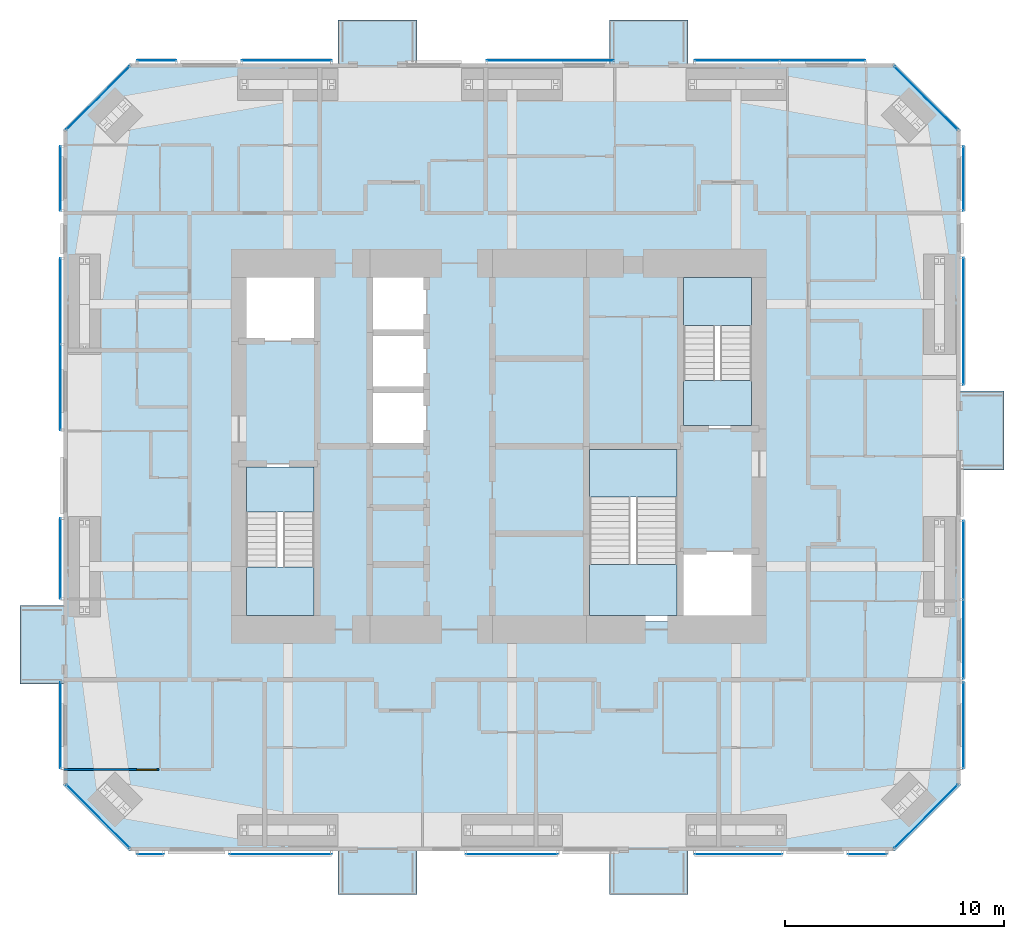
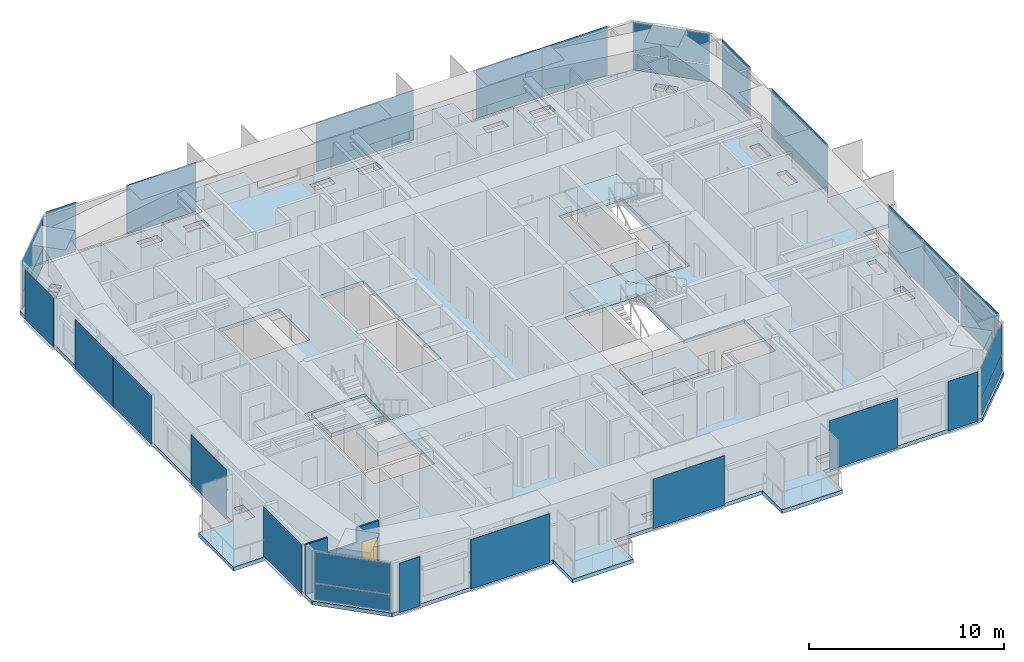
# One storey, part 14 of 23: 28 plates, 7 slabs, 1 door, 1 wall, 1 opening, 24 elements without a shape of their own.
"""IFC4 building model written with IfcOpenShell, lengths in metres."""

from ifc_helpers import new_model, si_unit, direction, frame, frame_2d, origin, origin_2d, place, context, subcontext, project, spatial, polyline, rectangle, outline, extrude, material, layer, layer_set, constituent, constituent_set, type_object, element, fill, aggregate, save


model = new_model("IFC4")

# Units and contexts
model_context = context("Model", 3, precision=1e-05, world=origin(), true_north=direction((0.0, 1.0)))
body_context = subcontext(model_context, "Body", "Model", "MODEL_VIEW")
ifc_project = project(units=[si_unit("LENGTHUNIT", "METRE"), si_unit("AREAUNIT", "SQUARE_METRE"), si_unit("VOLUMEUNIT", "CUBIC_METRE"), si_unit("PLANEANGLEUNIT", "RADIAN"), si_unit("MASSUNIT", "GRAM", prefix="KILO")], contexts=[model_context])

# Site, building, storey
site_placement = place(None, origin())
site = spatial("IfcSite", under=ifc_project, at=site_placement, CompositionType="ELEMENT")
building_placement = place(site_placement, origin())
building = spatial("IfcBuilding", under=site, at=building_placement, Name="Jalousie Tower", CompositionType="ELEMENT")
storey_placement = place(building_placement, frame((0.0, 0.0, 164.39990234375)))
storey = spatial("IfcBuildingStorey", under=building, at=storey_placement, Name="L44", CompositionType="ELEMENT", Elevation=164.39990234375)

# Curtain wall, plates
ifc_material_1 = material(Name="Aluminium curtain wall", Category="aluminium")
curtain_wall_type_1 = type_object("IfcCurtainWallType", Name="CORNER WINDOW WALL", PredefinedType="USERDEFINED", material=ifc_material_1)
curtain_wall_1_placement = place(storey_placement, origin())
curtain_wall_1 = element("IfcCurtainWall", 1, at=curtain_wall_1_placement, inside=storey, type_object=curtain_wall_type_1, Name="Corner Window Wall L44 2", ObjectType="CORNER WINDOW WALL", PredefinedType="USERDEFINED")
ifc_material_2 = material(Name="Laminated impact-rated spandrel glass", Category="glass")
ifc_layer_1 = layer(ifc_material_2, 0.028076171875)
ifc_layer_set_1 = layer_set([ifc_layer_1], Name="Laminated impact-rated spandrel glass")
plate_type_1 = type_object("IfcPlateType", Name="CORNER WINDOW WALL PANEL", PredefinedType="CURTAIN_PANEL", material=ifc_layer_set_1)
plate_1_placement = place(storey_placement, frame((51.4306640625, 1.5693359375, 0.06005859375), z_axis=(0.0, 0.0, 1.0), x_axis=(0.707106781187, 0.707106781187, 0.0)))
plate_1 = element("IfcPlate", 2, at=plate_1_placement, type_object=plate_type_1, Name="CW-C panel 1.1", PredefinedType="CURTAIN_PANEL", context=body_context, shape_type="SweptSolid", body=[
    extrude(rectangle(XDim=4.071533203125, YDim=0.028076171875, at=origin_2d()), origin(), (0.0, 0.0, 1.0), 1.010009765625),
])
plate_2_placement = place(storey_placement, frame((51.4306640625, 1.5693359375, 1.130126953125), z_axis=(0.0, 0.0, 1.0), x_axis=(0.707106781187, 0.707106781187, 0.0)))
plate_2 = element("IfcPlate", 3, at=plate_2_placement, type_object=plate_type_1, Name="CW-C panel 1.2", PredefinedType="CURTAIN_PANEL", context=body_context, shape_type="SweptSolid", body=[
    extrude(rectangle(XDim=4.071533203125, YDim=0.028076171875, at=origin_2d()), origin(), (0.0, 0.0, 1.0), 1.919921875),
])
aggregate(curtain_wall_1, [plate_1, plate_2])

curtain_wall_2_placement = place(storey_placement, origin())
curtain_wall_2 = element("IfcCurtainWall", 4, at=curtain_wall_2_placement, inside=storey, type_object=curtain_wall_type_1, Name="Corner Window Wall L44 4", ObjectType="CORNER WINDOW WALL", PredefinedType="USERDEFINED")
plate_3_placement = place(storey_placement, frame((51.4306640625, 34.4306640625, 0.06005859375), z_axis=(0.0, 0.0, 1.0), x_axis=(-0.707106781187, 0.707106781187, 0.0)))
plate_3 = element("IfcPlate", 5, at=plate_3_placement, type_object=plate_type_1, Name="CW-C panel 1.1", PredefinedType="CURTAIN_PANEL", context=body_context, shape_type="SweptSolid", body=[
    extrude(rectangle(XDim=4.071533203125, YDim=0.028076171875, at=origin_2d()), origin(), (0.0, 0.0, 1.0), 1.010009765625),
])
plate_4_placement = place(storey_placement, frame((51.4306640625, 34.4306640625, 1.130126953125), z_axis=(0.0, 0.0, 1.0), x_axis=(-0.707106781187, 0.707106781187, 0.0)))
plate_4 = element("IfcPlate", 6, at=plate_4_placement, type_object=plate_type_1, Name="CW-C panel 1.2", PredefinedType="CURTAIN_PANEL", context=body_context, shape_type="SweptSolid", body=[
    extrude(rectangle(XDim=4.071533203125, YDim=0.028076171875, at=origin_2d()), origin(), (0.0, 0.0, 1.0), 1.919921875),
])
aggregate(curtain_wall_2, [plate_3, plate_4])

curtain_wall_3_placement = place(storey_placement, origin())
curtain_wall_3 = element("IfcCurtainWall", 7, at=curtain_wall_3_placement, inside=storey, type_object=curtain_wall_type_1, Name="Corner Window Wall L44 6", ObjectType="CORNER WINDOW WALL", PredefinedType="USERDEFINED")
plate_5_placement = place(storey_placement, frame((13.5693359375, 34.4306640625, 0.06005859375), z_axis=(0.0, 0.0, 1.0), x_axis=(-0.707106781187, -0.707106781187, 0.0)))
plate_5 = element("IfcPlate", 8, at=plate_5_placement, type_object=plate_type_1, Name="CW-C panel 1.1", PredefinedType="CURTAIN_PANEL", context=body_context, shape_type="SweptSolid", body=[
    extrude(rectangle(XDim=4.071533203125, YDim=0.028076171875, at=origin_2d()), origin(), (0.0, 0.0, 1.0), 1.010009765625),
])
plate_6_placement = place(storey_placement, frame((13.5693359375, 34.4306640625, 1.130126953125), z_axis=(0.0, 0.0, 1.0), x_axis=(-0.707106781187, -0.707106781187, 0.0)))
plate_6 = element("IfcPlate", 9, at=plate_6_placement, type_object=plate_type_1, Name="CW-C panel 1.2", PredefinedType="CURTAIN_PANEL", context=body_context, shape_type="SweptSolid", body=[
    extrude(rectangle(XDim=4.071533203125, YDim=0.028076171875, at=origin_2d()), origin(), (0.0, 0.0, 1.0), 1.919921875),
])
aggregate(curtain_wall_3, [plate_5, plate_6])

curtain_wall_4_placement = place(storey_placement, origin())
curtain_wall_4 = element("IfcCurtainWall", 10, at=curtain_wall_4_placement, inside=storey, type_object=curtain_wall_type_1, Name="Corner Window Wall L44 8", ObjectType="CORNER WINDOW WALL", PredefinedType="USERDEFINED")
plate_7_placement = place(storey_placement, frame((13.5693359375, 1.5693359375, 0.06005859375), z_axis=(0.0, 0.0, 1.0), x_axis=(0.707106781187, -0.707106781187, 0.0)))
plate_7 = element("IfcPlate", 11, at=plate_7_placement, type_object=plate_type_1, Name="CW-C panel 1.1", PredefinedType="CURTAIN_PANEL", context=body_context, shape_type="SweptSolid", body=[
    extrude(rectangle(XDim=4.071533203125, YDim=0.028076171875, at=origin_2d()), origin(), (0.0, 0.0, 1.0), 1.010009765625),
])
plate_8_placement = place(storey_placement, frame((13.5693359375, 1.5693359375, 1.130126953125), z_axis=(0.0, 0.0, 1.0), x_axis=(0.707106781187, -0.707106781187, 0.0)))
plate_8 = element("IfcPlate", 12, at=plate_8_placement, type_object=plate_type_1, Name="CW-C panel 1.2", PredefinedType="CURTAIN_PANEL", context=body_context, shape_type="SweptSolid", body=[
    extrude(rectangle(XDim=4.071533203125, YDim=0.028076171875, at=origin_2d()), origin(), (0.0, 0.0, 1.0), 1.919921875),
])
aggregate(curtain_wall_4, [plate_7, plate_8])

# Slab
ifc_material_3 = material(Name="Concrete f'c 40 MPa", Category="concrete")
ifc_layer_2 = layer(ifc_material_3, 0.239990234375)
ifc_layer_set_2 = layer_set([ifc_layer_2], Name="Concrete f'c 40 MPa")
slab_type_1 = type_object("IfcSlabType", Name="FLOOR SLAB 240", PredefinedType="FLOOR", material=ifc_layer_set_2)
slab_1_placement = place(storey_placement, frame((0.0, 0.0, -0.239990234375)))
element("IfcSlab", 13, at=slab_1_placement, inside=storey, type_object=slab_type_1, Name="L44 floor slab", PredefinedType="FLOOR", context=body_context, shape_type="SweptSolid", body=[
    extrude(outline(polyline([(40.550048828125, 38.0), (40.550048828125, 36.0), (50.0, 36.0), (53.0, 33.0), (53.0, 21.02490234375), (55.0, 21.02490234375), (55.0, 17.425048828125), (53.0, 17.425048828125), (53.0, 3.0), (50.0, 0.0), (40.550048828125, 0.0), (40.550048828125, -2.0), (36.949951171875, -2.0), (36.949951171875, 0.0), (28.14990234375, 0.0), (28.14990234375, -2.0), (24.550048828125, -2.0), (24.550048828125, 0.0), (15.0, 0.0), (12.0, 3.0), (12.0, 7.625), (10.0, 7.625), (10.0, 11.22509765625), (12.0, 11.22509765625), (12.0, 33.0), (15.0, 36.0), (24.550048828125, 36.0), (24.550048828125, 38.0), (28.14990234375, 38.0), (28.14990234375, 36.0), (36.949951171875, 36.0), (36.949951171875, 38.0), (40.550048828125, 38.0)]), holes=[polyline([(51.763916015625, 27.0), (51.763916015625, 25.77294921875), (52.336181640625, 25.77294921875), (52.336181640625, 27.0), (51.763916015625, 27.0)]), polyline([(52.336181640625, 24.22705078125), (51.763916015625, 24.22705078125), (51.763916015625, 23.0), (52.336181640625, 23.0), (52.336181640625, 24.22705078125)]), polyline([(52.336181640625, 15.0), (51.763916015625, 15.0), (51.763916015625, 13.77294921875), (52.336181640625, 13.77294921875), (52.336181640625, 15.0)]), polyline([(52.336181640625, 12.22705078125), (51.763916015625, 12.22705078125), (51.763916015625, 11.0), (52.336181640625, 11.0), (52.336181640625, 12.22705078125)]), polyline([(50.873291015625, 33.02490234375), (51.278076171875, 33.4296875), (50.89599609375, 33.811767578125), (50.4912109375, 33.406982421875), (50.873291015625, 33.02490234375)]), polyline([(50.89599609375, 2.188232421875), (51.278076171875, 2.5703125), (50.873291015625, 2.97509765625), (50.4912109375, 2.593017578125), (50.89599609375, 2.188232421875)]), polyline([(50.02490234375, 2.126708984375), (50.4296875, 1.721923828125), (50.811767578125, 2.10400390625), (50.406982421875, 2.5087890625), (50.02490234375, 2.126708984375)]), polyline([(50.02490234375, 33.873291015625), (50.406982421875, 33.4912109375), (50.811767578125, 33.89599609375), (50.4296875, 34.278076171875), (50.02490234375, 33.873291015625)]), polyline([(43.52294921875, 34.763916015625), (44.75, 34.763916015625), (44.75, 35.336181640625), (43.52294921875, 35.336181640625), (43.52294921875, 34.763916015625)]), polyline([(43.52294921875, 0.663818359375), (44.75, 0.663818359375), (44.75, 1.236083984375), (43.52294921875, 1.236083984375), (43.52294921875, 0.663818359375)]), polyline([(43.800048828125, 26.5), (40.199951171875, 26.5), (40.199951171875, 19.300048828125), (43.800048828125, 19.300048828125), (43.800048828125, 26.5)]), polyline([(35.89990234375, 18.5), (35.89990234375, 10.5), (43.800048828125, 10.5), (43.800048828125, 13.699951171875), (40.199951171875, 13.699951171875), (40.199951171875, 18.5), (35.89990234375, 18.5)]), polyline([(40.75, 34.763916015625), (41.97705078125, 34.763916015625), (41.97705078125, 35.336181640625), (40.75, 35.336181640625), (40.75, 34.763916015625)]), polyline([(40.75, 0.663818359375), (41.97705078125, 0.663818359375), (41.97705078125, 1.236083984375), (40.75, 1.236083984375), (40.75, 0.663818359375)]), polyline([(34.5, 0.663818359375), (34.5, 1.236083984375), (33.27294921875, 1.236083984375), (33.27294921875, 0.663818359375), (34.5, 0.663818359375)]), polyline([(34.5, 34.763916015625), (34.5, 35.336181640625), (33.27294921875, 35.336181640625), (33.27294921875, 34.763916015625), (34.5, 34.763916015625)]), polyline([(30.5, 35.336181640625), (30.5, 34.763916015625), (31.72705078125, 34.763916015625), (31.72705078125, 35.336181640625), (30.5, 35.336181640625)]), polyline([(30.5, 1.236083984375), (30.5, 0.663818359375), (31.72705078125, 0.663818359375), (31.72705078125, 1.236083984375), (30.5, 1.236083984375)]), polyline([(28.60009765625, 26.5), (26.0, 26.5), (26.0, 18.5), (28.60009765625, 18.5), (28.60009765625, 26.5)]), polyline([(24.25, 35.336181640625), (23.02294921875, 35.336181640625), (23.02294921875, 34.763916015625), (24.25, 34.763916015625), (24.25, 35.336181640625)]), polyline([(24.25, 0.663818359375), (24.25, 1.236083984375), (23.02294921875, 1.236083984375), (23.02294921875, 0.663818359375), (24.25, 0.663818359375)]), polyline([(23.60009765625, 26.5), (20.0, 26.5), (20.0, 23.300048828125), (23.60009765625, 23.300048828125), (23.60009765625, 26.5)]), polyline([(23.60009765625, 17.699951171875), (20.0, 17.699951171875), (20.0, 10.5), (23.60009765625, 10.5), (23.60009765625, 17.699951171875)]), polyline([(21.47705078125, 34.763916015625), (21.47705078125, 35.336181640625), (20.25, 35.336181640625), (20.25, 34.763916015625), (21.47705078125, 34.763916015625)]), polyline([(21.47705078125, 0.663818359375), (21.47705078125, 1.236083984375), (20.25, 1.236083984375), (20.25, 0.663818359375), (21.47705078125, 0.663818359375)]), polyline([(14.5703125, 34.278076171875), (14.188232421875, 33.89599609375), (14.593017578125, 33.4912109375), (14.97509765625, 33.873291015625), (14.5703125, 34.278076171875)]), polyline([(14.188232421875, 2.10400390625), (14.5703125, 1.721923828125), (14.97509765625, 2.126708984375), (14.593017578125, 2.5087890625), (14.188232421875, 2.10400390625)]), polyline([(14.126708984375, 33.02490234375), (14.5087890625, 33.406982421875), (14.10400390625, 33.811767578125), (13.721923828125, 33.4296875), (14.126708984375, 33.02490234375)]), polyline([(14.10400390625, 2.188232421875), (14.5087890625, 2.593017578125), (14.126708984375, 2.97509765625), (13.721923828125, 2.5703125), (14.10400390625, 2.188232421875)]), polyline([(12.663818359375, 23.0), (13.236083984375, 23.0), (13.236083984375, 24.22705078125), (12.663818359375, 24.22705078125), (12.663818359375, 23.0)]), polyline([(13.236083984375, 27.0), (12.663818359375, 27.0), (12.663818359375, 25.77294921875), (13.236083984375, 25.77294921875), (13.236083984375, 27.0)]), polyline([(12.663818359375, 15.0), (12.663818359375, 13.77294921875), (13.236083984375, 13.77294921875), (13.236083984375, 15.0), (12.663818359375, 15.0)]), polyline([(13.236083984375, 12.22705078125), (12.663818359375, 12.22705078125), (12.663818359375, 11.0), (13.236083984375, 11.0), (13.236083984375, 12.22705078125)])]), origin(), (0.0, 0.0, 1.0), 0.239990234375),
])

# Curtain wall, plate
ifc_material_4 = material(Name="Perforated aluminium sheet", Category="aluminium")
curtain_wall_type_2 = type_object("IfcCurtainWallType", Name="SOLAR SCREEN SS-1", PredefinedType="USERDEFINED", material=ifc_material_4)
curtain_wall_5_placement = place(storey_placement, origin())
curtain_wall_5 = element("IfcCurtainWall", 14, at=curtain_wall_5_placement, inside=storey, type_object=curtain_wall_type_2, Name="Solar screen L44", ObjectType="SOLAR SCREEN SS-1", PredefinedType="USERDEFINED")
ifc_material_5 = material(Name="Perforated aluminium sheet", Category="aluminium")
ifc_layer_3 = layer(ifc_material_5, 0.006103515625)
ifc_layer_set_3 = layer_set([ifc_layer_3], Name="Perforated aluminium sheet")
plate_type_2 = type_object("IfcPlateType", Name="SOLAR SCREEN SS-1 PANEL", PredefinedType="CURTAIN_PANEL", material=ifc_layer_set_3)
plate_9_placement = place(storey_placement, frame((15.96337890625, -0.150390625, 0.0), z_axis=(0.0, 0.0, 1.0), x_axis=(1.0, 0.0, 0.0)))
plate_9 = element("IfcPlate", 15, at=plate_9_placement, type_object=plate_type_2, Name="SS1 perforated panel 1", PredefinedType="CURTAIN_PANEL", context=body_context, shape_type="SweptSolid", body=[
    extrude(rectangle(XDim=1.224365234375, YDim=0.006103515625, at=origin_2d()), origin(), (0.0, 0.0, 1.0), 3.110107421875),
])
aggregate(curtain_wall_5, [plate_9])

curtain_wall_6_placement = place(storey_placement, origin())
curtain_wall_6 = element("IfcCurtainWall", 16, at=curtain_wall_6_placement, inside=storey, type_object=curtain_wall_type_2, Name="Solar screen L44", ObjectType="SOLAR SCREEN SS-1", PredefinedType="USERDEFINED")
plate_10_placement = place(storey_placement, frame((21.912841796875, -0.150390625, 0.0), z_axis=(0.0, 0.0, 1.0), x_axis=(1.0, 0.0, 0.0)))
plate_10 = element("IfcPlate", 17, at=plate_10_placement, type_object=plate_type_2, Name="SS1 perforated panel 1", PredefinedType="CURTAIN_PANEL", context=body_context, shape_type="SweptSolid", body=[
    extrude(rectangle(XDim=4.67431640625, YDim=0.006103515625, at=origin_2d()), origin(), (0.0, 0.0, 1.0), 3.110107421875),
])
aggregate(curtain_wall_6, [plate_10])

curtain_wall_7_placement = place(storey_placement, origin())
curtain_wall_7 = element("IfcCurtainWall", 18, at=curtain_wall_7_placement, inside=storey, type_object=curtain_wall_type_2, Name="Solar screen L44", ObjectType="SOLAR SCREEN SS-1", PredefinedType="USERDEFINED")
plate_11_placement = place(storey_placement, frame((32.489501953125, -0.150390625, 0.0), z_axis=(0.0, 0.0, 1.0), x_axis=(1.0, 0.0, 0.0)))
plate_11 = element("IfcPlate", 19, at=plate_11_placement, type_object=plate_type_2, Name="SS1 perforated panel 1", PredefinedType="CURTAIN_PANEL", context=body_context, shape_type="SweptSolid", body=[
    extrude(rectangle(XDim=4.22119140625, YDim=0.006103515625, at=origin_2d()), origin(), (0.0, 0.0, 1.0), 3.110107421875),
])
aggregate(curtain_wall_7, [plate_11])

curtain_wall_8_placement = place(storey_placement, origin())
curtain_wall_8 = element("IfcCurtainWall", 20, at=curtain_wall_8_placement, inside=storey, type_object=curtain_wall_type_2, Name="Solar screen L44", ObjectType="SOLAR SCREEN SS-1", PredefinedType="USERDEFINED")
plate_12_placement = place(storey_placement, frame((42.8544921875, -0.150390625, 0.0), z_axis=(0.0, 0.0, 1.0), x_axis=(1.0, 0.0, 0.0)))
plate_12 = element("IfcPlate", 21, at=plate_12_placement, type_object=plate_type_2, Name="SS1 perforated panel 1", PredefinedType="CURTAIN_PANEL", context=body_context, shape_type="SweptSolid", body=[
    extrude(rectangle(XDim=4.00927734375, YDim=0.006103515625, at=origin_2d()), origin(), (0.0, 0.0, 1.0), 3.110107421875),
])
aggregate(curtain_wall_8, [plate_12])

curtain_wall_9_placement = place(storey_placement, origin())
curtain_wall_9 = element("IfcCurtainWall", 22, at=curtain_wall_9_placement, inside=storey, type_object=curtain_wall_type_2, Name="Solar screen L44", ObjectType="SOLAR SCREEN SS-1", PredefinedType="USERDEFINED")
plate_13_placement = place(storey_placement, frame((48.75390625, -0.150390625, 0.0), z_axis=(0.0, 0.0, 1.0), x_axis=(1.0, 0.0, 0.0)))
plate_13 = element("IfcPlate", 23, at=plate_13_placement, type_object=plate_type_2, Name="SS1 perforated panel 1", PredefinedType="CURTAIN_PANEL", context=body_context, shape_type="SweptSolid", body=[
    extrude(rectangle(XDim=1.789306640625, YDim=0.006103515625, at=origin_2d()), origin(), (0.0, 0.0, 1.0), 3.110107421875),
])
aggregate(curtain_wall_9, [plate_13])

curtain_wall_10_placement = place(storey_placement, origin())
curtain_wall_10 = element("IfcCurtainWall", 24, at=curtain_wall_10_placement, inside=storey, type_object=curtain_wall_type_2, Name="Solar screen L44", ObjectType="SOLAR SCREEN SS-1", PredefinedType="USERDEFINED")
plate_14_placement = place(storey_placement, frame((53.150390625, 5.748046875, 0.0), z_axis=(0.0, 0.0, 1.0), x_axis=(0.0, 1.0, 0.0)))
plate_14 = element("IfcPlate", 25, at=plate_14_placement, type_object=plate_type_2, Name="SS1 perforated panel 1", PredefinedType="CURTAIN_PANEL", context=body_context, shape_type="SweptSolid", body=[
    extrude(rectangle(XDim=3.95361328125, YDim=0.006103515625, at=origin_2d()), origin(), (0.0, 0.0, 1.0), 3.110107421875),
])
aggregate(curtain_wall_10, [plate_14])

# Curtain wall, plates
curtain_wall_11_placement = place(storey_placement, origin())
curtain_wall_11 = element("IfcCurtainWall", 26, at=curtain_wall_11_placement, inside=storey, type_object=curtain_wall_type_2, Name="Solar screen L44", ObjectType="SOLAR SCREEN SS-1", PredefinedType="USERDEFINED")
plate_15_placement = place(storey_placement, frame((53.150390625, 9.681396484375, 0.0), z_axis=(0.0, 0.0, 1.0), x_axis=(0.0, 1.0, 0.0)))
plate_15 = element("IfcPlate", 27, at=plate_15_placement, type_object=plate_type_2, Name="SS1 perforated panel 1", PredefinedType="CURTAIN_PANEL", context=body_context, shape_type="SweptSolid", body=[
    extrude(rectangle(XDim=3.612548828125, YDim=0.006103515625, at=origin_2d()), origin(), (0.0, 0.0, 1.0), 3.110107421875),
])
plate_16_placement = place(storey_placement, frame((53.150390625, 13.293701171875, 0.0), z_axis=(0.0, 0.0, 1.0), x_axis=(0.0, 1.0, 0.0)))
plate_16 = element("IfcPlate", 28, at=plate_16_placement, type_object=plate_type_2, Name="SS1 perforated panel 2", PredefinedType="CURTAIN_PANEL", context=body_context, shape_type="SweptSolid", body=[
    extrude(rectangle(XDim=3.612548828125, YDim=0.006103515625, at=origin_2d()), origin(), (0.0, 0.0, 1.0), 3.110107421875),
])
aggregate(curtain_wall_11, [plate_15, plate_16])

# Curtain wall, plate
curtain_wall_12_placement = place(storey_placement, origin())
curtain_wall_12 = element("IfcCurtainWall", 29, at=curtain_wall_12_placement, inside=storey, type_object=curtain_wall_type_2, Name="Solar screen L44", ObjectType="SOLAR SCREEN SS-1", PredefinedType="USERDEFINED")
plate_17_placement = place(storey_placement, frame((53.150390625, 24.224853515625, 0.0), z_axis=(0.0, 0.0, 1.0), x_axis=(0.0, 1.0, 0.0)))
plate_17 = element("IfcPlate", 30, at=plate_17_placement, type_object=plate_type_2, Name="SS1 perforated panel 1", PredefinedType="CURTAIN_PANEL", context=body_context, shape_type="SweptSolid", body=[
    extrude(rectangle(XDim=5.799560546875, YDim=0.006103515625, at=origin_2d()), origin(), (0.0, 0.0, 1.0), 3.110107421875),
])
aggregate(curtain_wall_12, [plate_17])

curtain_wall_13_placement = place(storey_placement, origin())
curtain_wall_13 = element("IfcCurtainWall", 31, at=curtain_wall_13_placement, inside=storey, type_object=curtain_wall_type_2, Name="Solar screen L44", ObjectType="SOLAR SCREEN SS-1", PredefinedType="USERDEFINED")
plate_18_placement = place(storey_placement, frame((53.150390625, 30.751953125, 0.0), z_axis=(0.0, 0.0, 1.0), x_axis=(0.0, 1.0, 0.0)))
plate_18 = element("IfcPlate", 32, at=plate_18_placement, type_object=plate_type_2, Name="SS1 perforated panel 1", PredefinedType="CURTAIN_PANEL", context=body_context, shape_type="SweptSolid", body=[
    extrude(rectangle(XDim=2.95361328125, YDim=0.006103515625, at=origin_2d()), origin(), (0.0, 0.0, 1.0), 3.110107421875),
])
aggregate(curtain_wall_13, [plate_18])

# Curtain wall, plates
curtain_wall_14_placement = place(storey_placement, origin())
curtain_wall_14 = element("IfcCurtainWall", 33, at=curtain_wall_14_placement, inside=storey, type_object=curtain_wall_type_2, Name="Solar screen L44", ObjectType="SOLAR SCREEN SS-1", PredefinedType="USERDEFINED")
plate_19_placement = place(storey_placement, frame((46.699951171875, 36.150390625, 0.0), z_axis=(0.0, 0.0, 1.0), x_axis=(-1.0, 0.0, 0.0)))
plate_19 = element("IfcPlate", 34, at=plate_19_placement, type_object=plate_type_2, Name="SS1 perforated panel 1", PredefinedType="CURTAIN_PANEL", context=body_context, shape_type="SweptSolid", body=[
    extrude(rectangle(XDim=3.89990234375, YDim=0.006103515625, at=origin_2d()), origin(), (0.0, 0.0, 1.0), 3.110107421875),
])
plate_20_placement = place(storey_placement, frame((42.800048828125, 36.150390625, 0.0), z_axis=(0.0, 0.0, 1.0), x_axis=(-1.0, 0.0, 0.0)))
plate_20 = element("IfcPlate", 35, at=plate_20_placement, type_object=plate_type_2, Name="SS1 perforated panel 2", PredefinedType="CURTAIN_PANEL", context=body_context, shape_type="SweptSolid", body=[
    extrude(rectangle(XDim=3.89990234375, YDim=0.006103515625, at=origin_2d()), origin(), (0.0, 0.0, 1.0), 3.110107421875),
])
aggregate(curtain_wall_14, [plate_19, plate_20])

# Curtain wall, plate
curtain_wall_15_placement = place(storey_placement, origin())
curtain_wall_15 = element("IfcCurtainWall", 36, at=curtain_wall_15_placement, inside=storey, type_object=curtain_wall_type_2, Name="Solar screen L44", ObjectType="SOLAR SCREEN SS-1", PredefinedType="USERDEFINED")
plate_21_placement = place(storey_placement, frame((34.25, 36.150390625, 0.0), z_axis=(0.0, 0.0, 1.0), x_axis=(-1.0, 0.0, 0.0)))
plate_21 = element("IfcPlate", 37, at=plate_21_placement, type_object=plate_type_2, Name="SS1 perforated panel 1", PredefinedType="CURTAIN_PANEL", context=body_context, shape_type="SweptSolid", body=[
    extrude(rectangle(XDim=5.800048828125, YDim=0.006103515625, at=origin_2d()), origin(), (0.0, 0.0, 1.0), 3.110107421875),
])
aggregate(curtain_wall_15, [plate_21])

curtain_wall_16_placement = place(storey_placement, origin())
curtain_wall_16 = element("IfcCurtainWall", 38, at=curtain_wall_16_placement, inside=storey, type_object=curtain_wall_type_2, Name="Solar screen L44", ObjectType="SOLAR SCREEN SS-1", PredefinedType="USERDEFINED")
plate_22_placement = place(storey_placement, frame((22.197265625, 36.150390625, 0.0), z_axis=(0.0, 0.0, 1.0), x_axis=(-1.0, 0.0, 0.0)))
plate_22 = element("IfcPlate", 39, at=plate_22_placement, type_object=plate_type_2, Name="SS1 perforated panel 1", PredefinedType="CURTAIN_PANEL", context=body_context, shape_type="SweptSolid", body=[
    extrude(rectangle(XDim=4.10546875, YDim=0.006103515625, at=origin_2d()), origin(), (0.0, 0.0, 1.0), 3.110107421875),
])
aggregate(curtain_wall_16, [plate_22])

curtain_wall_17_placement = place(storey_placement, origin())
curtain_wall_17 = element("IfcCurtainWall", 40, at=curtain_wall_17_placement, inside=storey, type_object=curtain_wall_type_2, Name="Solar screen L44", ObjectType="SOLAR SCREEN SS-1", PredefinedType="USERDEFINED")
plate_23_placement = place(storey_placement, frame((16.247802734375, 36.150390625, 0.0), z_axis=(0.0, 0.0, 1.0), x_axis=(-1.0, 0.0, 0.0)))
plate_23 = element("IfcPlate", 41, at=plate_23_placement, type_object=plate_type_2, Name="SS1 perforated panel 1", PredefinedType="CURTAIN_PANEL", context=body_context, shape_type="SweptSolid", body=[
    extrude(rectangle(XDim=1.793212890625, YDim=0.006103515625, at=origin_2d()), origin(), (0.0, 0.0, 1.0), 3.110107421875),
])
aggregate(curtain_wall_17, [plate_23])

curtain_wall_18_placement = place(storey_placement, origin())
curtain_wall_18 = element("IfcCurtainWall", 42, at=curtain_wall_18_placement, inside=storey, type_object=curtain_wall_type_2, Name="Solar screen L44", ObjectType="SOLAR SCREEN SS-1", PredefinedType="USERDEFINED")
plate_24_placement = place(storey_placement, frame((11.849609375, 30.751953125, 0.0), z_axis=(0.0, 0.0, 1.0), x_axis=(0.0, -1.0, 0.0)))
plate_24 = element("IfcPlate", 43, at=plate_24_placement, type_object=plate_type_2, Name="SS1 perforated panel 1", PredefinedType="CURTAIN_PANEL", context=body_context, shape_type="SweptSolid", body=[
    extrude(rectangle(XDim=2.95361328125, YDim=0.006103515625, at=origin_2d()), origin(), (0.0, 0.0, 1.0), 3.110107421875),
])
aggregate(curtain_wall_18, [plate_24])

# Curtain wall, plates
curtain_wall_19_placement = place(storey_placement, origin())
curtain_wall_19 = element("IfcCurtainWall", 44, at=curtain_wall_19_placement, inside=storey, type_object=curtain_wall_type_2, Name="Solar screen L44", ObjectType="SOLAR SCREEN SS-1", PredefinedType="USERDEFINED")
plate_25_placement = place(storey_placement, frame((11.849609375, 25.137451171875, 0.0), z_axis=(0.0, 0.0, 1.0), x_axis=(0.0, -1.0, 0.0)))
plate_25 = element("IfcPlate", 45, at=plate_25_placement, type_object=plate_type_2, Name="SS1 perforated panel 1", PredefinedType="CURTAIN_PANEL", context=body_context, shape_type="SweptSolid", body=[
    extrude(rectangle(XDim=3.925048828125, YDim=0.006103515625, at=origin_2d()), origin(), (0.0, 0.0, 1.0), 3.110107421875),
])
plate_26_placement = place(storey_placement, frame((11.849609375, 21.21240234375, 0.0), z_axis=(0.0, 0.0, 1.0), x_axis=(0.0, -1.0, 0.0)))
plate_26 = element("IfcPlate", 46, at=plate_26_placement, type_object=plate_type_2, Name="SS1 perforated panel 2", PredefinedType="CURTAIN_PANEL", context=body_context, shape_type="SweptSolid", body=[
    extrude(rectangle(XDim=3.925048828125, YDim=0.006103515625, at=origin_2d()), origin(), (0.0, 0.0, 1.0), 3.110107421875),
])
aggregate(curtain_wall_19, [plate_25, plate_26])

# Curtain wall, plate
curtain_wall_20_placement = place(storey_placement, origin())
curtain_wall_20 = element("IfcCurtainWall", 47, at=curtain_wall_20_placement, inside=storey, type_object=curtain_wall_type_2, Name="Solar screen L44", ObjectType="SOLAR SCREEN SS-1", PredefinedType="USERDEFINED")
plate_27_placement = place(storey_placement, frame((11.849609375, 13.364990234375, 0.0), z_axis=(0.0, 0.0, 1.0), x_axis=(0.0, -1.0, 0.0)))
plate_27 = element("IfcPlate", 48, at=plate_27_placement, type_object=plate_type_2, Name="SS1 perforated panel 1", PredefinedType="CURTAIN_PANEL", context=body_context, shape_type="SweptSolid", body=[
    extrude(rectangle(XDim=3.679931640625, YDim=0.006103515625, at=origin_2d()), origin(), (0.0, 0.0, 1.0), 3.110107421875),
])
aggregate(curtain_wall_20, [plate_27])

curtain_wall_21_placement = place(storey_placement, origin())
curtain_wall_21 = element("IfcCurtainWall", 49, at=curtain_wall_21_placement, inside=storey, type_object=curtain_wall_type_2, Name="Solar screen L44", ObjectType="SOLAR SCREEN SS-1", PredefinedType="USERDEFINED")
plate_28_placement = place(storey_placement, frame((11.849609375, 5.748046875, 0.0), z_axis=(0.0, 0.0, 1.0), x_axis=(0.0, -1.0, 0.0)))
plate_28 = element("IfcPlate", 50, at=plate_28_placement, type_object=plate_type_2, Name="SS1 perforated panel 1", PredefinedType="CURTAIN_PANEL", context=body_context, shape_type="SweptSolid", body=[
    extrude(rectangle(XDim=3.95361328125, YDim=0.006103515625, at=origin_2d()), origin(), (0.0, 0.0, 1.0), 3.110107421875),
])
aggregate(curtain_wall_21, [plate_28])

# Stair, slabs
ifc_material_6 = material(Name="Concrete f'c 40 MPa", Category="concrete")
stair_type = type_object("IfcStairType", Name="EXIT STAIR", PredefinedType="HALF_TURN_STAIR", material=ifc_material_6)
stair_1_placement = place(storey_placement, origin())
stair_1 = element("IfcStair", 51, at=stair_1_placement, inside=storey, type_object=stair_type, Name="Exit stair A L44", PredefinedType="HALF_TURN_STAIR")
ifc_material_7 = material(Name="Concrete f'c 40 MPa", Category="concrete")
ifc_layer_4 = layer(ifc_material_7, 0.25)
ifc_layer_set_4 = layer_set([ifc_layer_4], Name="Concrete f'c 40 MPa")
slab_type_2 = type_object("IfcSlabType", Name="STAIR LANDING 250", PredefinedType="LANDING", material=ifc_layer_set_4)
slab_2_placement = place(storey_placement, frame((0.0, 0.0, -0.25)))
slab_2 = element("IfcSlab", 52, at=slab_2_placement, type_object=slab_type_2, Name="ST-A landing 1", PredefinedType="LANDING", context=body_context, shape_type="SweptSolid", body=[
    extrude(outline(polyline([(20.35009765625, 15.49755859375), (23.449951171875, 15.49755859375), (23.449951171875, 17.550048828125), (20.35009765625, 17.550048828125), (20.35009765625, 15.49755859375)])), origin(), (0.0, 0.0, 1.0), 0.25),
])
slab_3_placement = place(storey_placement, frame((0.0, 0.0, 1.425048828125)))
slab_3 = element("IfcSlab", 53, at=slab_3_placement, type_object=slab_type_2, Name="ST-A landing 2", PredefinedType="LANDING", context=body_context, shape_type="SweptSolid", body=[
    extrude(outline(polyline([(20.35009765625, 10.77490234375), (23.449951171875, 10.77490234375), (23.449951171875, 12.9775390625), (20.35009765625, 12.9775390625), (20.35009765625, 10.77490234375)])), origin(), (0.0, 0.0, 1.0), 0.25),
])
aggregate(stair_1, [slab_2, slab_3])

stair_2_placement = place(storey_placement, origin())
stair_2 = element("IfcStair", 54, at=stair_2_placement, inside=storey, type_object=stair_type, Name="Exit stair B L44", PredefinedType="HALF_TURN_STAIR")
slab_4_placement = place(storey_placement, frame((0.0, 0.0, -0.25)))
slab_4 = element("IfcSlab", 55, at=slab_4_placement, type_object=slab_type_2, Name="ST-B landing 1", PredefinedType="LANDING", context=body_context, shape_type="SweptSolid", body=[
    extrude(outline(polyline([(40.35009765625, 19.449951171875), (43.449951171875, 19.449951171875), (43.449951171875, 21.50244140625), (40.35009765625, 21.50244140625), (40.35009765625, 19.449951171875)])), origin(), (0.0, 0.0, 1.0), 0.25),
])
slab_5_placement = place(storey_placement, frame((0.0, 0.0, 1.425048828125)))
slab_5 = element("IfcSlab", 56, at=slab_5_placement, type_object=slab_type_2, Name="ST-B landing 2", PredefinedType="LANDING", context=body_context, shape_type="SweptSolid", body=[
    extrude(outline(polyline([(40.35009765625, 24.0224609375), (43.449951171875, 24.0224609375), (43.449951171875, 26.22509765625), (40.35009765625, 26.22509765625), (40.35009765625, 24.0224609375)])), origin(), (0.0, 0.0, 1.0), 0.25),
])
aggregate(stair_2, [slab_4, slab_5])

stair_3_placement = place(storey_placement, origin())
stair_3 = element("IfcStair", 57, at=stair_3_placement, inside=storey, type_object=stair_type, Name="Exit stair C L44", PredefinedType="HALF_TURN_STAIR")
slab_6_placement = place(storey_placement, frame((0.0, 0.0, -0.25)))
slab_6 = element("IfcSlab", 58, at=slab_6_placement, type_object=slab_type_2, Name="ST-C landing 1", PredefinedType="LANDING", context=body_context, shape_type="SweptSolid", body=[
    extrude(outline(polyline([(36.050048828125, 10.77490234375), (40.050048828125, 10.77490234375), (40.050048828125, 13.097412109375), (36.050048828125, 13.097412109375), (36.050048828125, 10.77490234375)])), origin(), (0.0, 0.0, 1.0), 0.25),
])
slab_7_placement = place(storey_placement, frame((0.0, 0.0, 1.425048828125)))
slab_7 = element("IfcSlab", 59, at=slab_7_placement, type_object=slab_type_2, Name="ST-C landing 2", PredefinedType="LANDING", context=body_context, shape_type="SweptSolid", body=[
    extrude(outline(polyline([(36.050048828125, 16.177490234375), (40.050048828125, 16.177490234375), (40.050048828125, 18.35009765625), (36.050048828125, 18.35009765625), (36.050048828125, 16.177490234375)])), origin(), (0.0, 0.0, 1.0), 0.25),
])
aggregate(stair_3, [slab_6, slab_7])

# Wall, opening, door
ifc_material_8 = material(Name="Gypsum board", Category="gypsum")
ifc_constituent_1 = constituent(ifc_material_8, Name="Body")
ifc_material_9 = material(Name="Light-gauge steel studs ASTM A653 SS Grade 33", Category="steel")
ifc_constituent_2 = constituent(ifc_material_9, Name="Framing")
ifc_constituent_set = constituent_set(constituents=[ifc_constituent_1, ifc_constituent_2])
wall_type = type_object("IfcWallType", Name="PARTITION 100", PredefinedType="PARTITIONING", material=ifc_constituent_set)
wall_placement = place(storey_placement, frame((16.35009765625, 3.72119140625, 0.0), z_axis=(0.0, 0.0, 1.0), x_axis=(-1.0, 0.0, 0.0)))
wall = element("IfcWall", 60, at=wall_placement, inside=storey, type_object=wall_type, Name="Partition 100 L44", PredefinedType="PARTITIONING", context=body_context, shape_type="SweptSolid", body=[
    extrude(outline(polyline([(0.0, 0.0), (4.35009765625, 0.0), (4.35009765625, 3.110107421875), (3.049072265625, 3.110107421875), (3.049072265625, 2.150146484375), (1.314453125, 2.150146484375), (1.314453125, 3.110107421875), (0.0, 3.110107421875), (0.0, 0.0)])), frame((0.0, 0.050048828125, 0.0), z_axis=(0.0, -1.0, 0.0), x_axis=(1.0, 0.0, 0.0)), (0.0, 0.0, 1.0), 0.10009765625),
])
opening_placement = place(wall_placement, frame((0.10009765625, 0.0, 0.0)))
opening = element("IfcOpeningElement", 61, at=opening_placement, cuts=wall, Name="Opening D2", PredefinedType="OPENING", context=body_context, shape_type="SweptSolid", body=[
    extrude(rectangle(XDim=0.89990234375, YDim=2.10009765625, at=frame_2d((0.449951171875, 1.050048828125))), frame((0.0, 0.06005859375, 0.0), z_axis=(0.0, -1.0, 0.0), x_axis=(1.0, 0.0, 0.0)), (0.0, 0.0, 1.0), 0.1201171875),
])
ifc_material_10 = material(Name="Timber door", Category="wood")
door_type = type_object("IfcDoorType", Name="BEDROOM DOOR 900", OperationType="SINGLE_SWING_LEFT", PredefinedType="DOOR", material=ifc_material_10)
door_placement = place(opening_placement, frame((0.89990234375, 0.0, 0.0), z_axis=(0.0, 0.0, 1.0), x_axis=(-1.0, 0.0, 0.0)))
door = element("IfcDoor", 62, at=door_placement, inside=storey, type_object=door_type, Name="Apartment 4401 bedroom 1 door", OperationType="SINGLE_SWING_RIGHT", OverallHeight=2.10009765625, OverallWidth=0.89990234375, PredefinedType="DOOR", context=body_context, shape_type="SweptSolid", body=[
    extrude(rectangle(XDim=0.89990234375, YDim=2.10009765625, at=frame_2d((0.449951171875, 1.050048828125))), frame((0.0, 0.02490234375, 0.0), z_axis=(0.0, -1.0, 0.0), x_axis=(1.0, 0.0, 0.0)), (0.0, 0.0, 1.0), 0.050048828125),
])
fill(opening, door)

save(model, "model.ifc")
